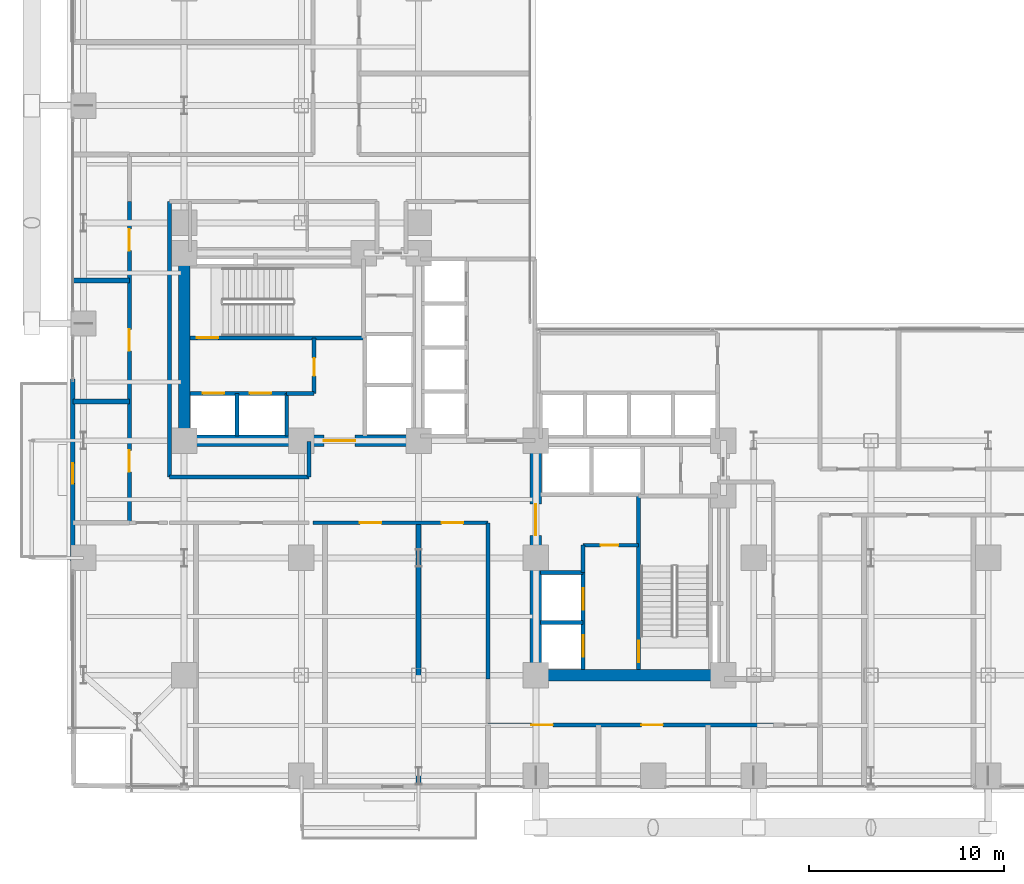
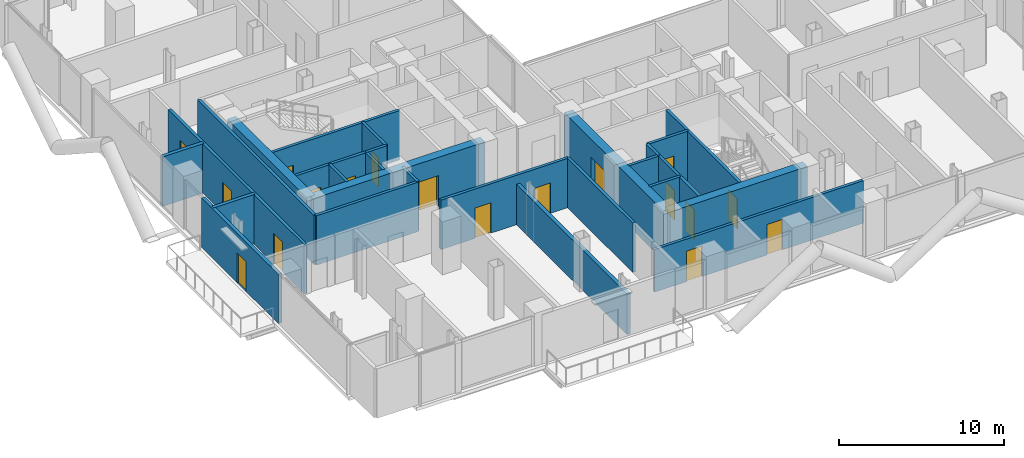
# One storey, part 20 of 25: 27 walls, 18 doors, 18 openings.
"""IFC4 building model written with IfcOpenShell, lengths in metres."""

from ifc_helpers import new_model, si_unit, direction, frame, frame_2d, origin, place, context, subcontext, project, spatial, rectangle, extrude, material, layer, layer_set, type_object, element, fill, save


model = new_model("IFC4")

# Units and contexts
model_context = context("Model", 3, precision=1e-05, world=origin(), true_north=direction((0.0, 1.0)))
body_context = subcontext(model_context, "Body", "Model", "MODEL_VIEW")
ifc_project = project(units=[si_unit("LENGTHUNIT", "METRE"), si_unit("AREAUNIT", "SQUARE_METRE"), si_unit("VOLUMEUNIT", "CUBIC_METRE"), si_unit("PLANEANGLEUNIT", "RADIAN"), si_unit("MASSUNIT", "GRAM", prefix="KILO"), si_unit("THERMODYNAMICTEMPERATUREUNIT", "KELVIN"), si_unit("POWERUNIT", "WATT")], contexts=[model_context])

# Site, building, storey
site_placement = place(None, origin())
site = spatial("IfcSite", under=ifc_project, at=site_placement, CompositionType="ELEMENT")
building_placement = place(site_placement, origin())
building = spatial("IfcBuilding", under=site, at=building_placement, Name="Svarakhadi Broadcast Tower", CompositionType="ELEMENT")
storey_placement = place(building_placement, frame((0.0, 0.0, 83.10009765625)))
storey = spatial("IfcBuildingStorey", under=building, at=storey_placement, Name="L19", CompositionType="ELEMENT", Elevation=83.10009765625)

# Wall, openings, doors
ifc_material_1 = material(Name="Double-Stud Acoustic Studio Partition STC-62", Category="gypsum")
ifc_layer_1 = layer(ifc_material_1, 0.199951171875)
ifc_layer_set_1 = layer_set([ifc_layer_1], Name="Double-Stud Acoustic Studio Partition STC-62")
wall_type_1 = type_object("IfcWallType", Name="Wall_Acoust_200", PredefinedType="PARTITIONING", material=ifc_layer_set_1)
wall_1_placement = place(storey_placement, frame((36.14990234375, 3.449951171875, 0.0), z_axis=(0.0, 0.0, 1.0), x_axis=(-1.0, 0.0, 0.0)))
wall_1 = element("IfcWall", 1, at=wall_1_placement, inside=storey, type_object=wall_type_1, Name="L19 Broadcast Corridor Wall", PredefinedType="PARTITIONING", context=body_context, shape_type="SweptSolid", body=[
    extrude(rectangle(XDim=14.599853515625, YDim=0.199951171875, at=frame_2d((7.2998046875, 0.0))), origin(), (0.0, 0.0, 1.0), 3.141845703125),
])
opening_1_placement = place(wall_1_placement, frame((11.27490234375, 0.0, 0.0)))
opening_1 = element("IfcOpeningElement", 2, at=opening_1_placement, cuts=wall_1, Name="Opening D-10", PredefinedType="OPENING", context=body_context, shape_type="SweptSolid", body=[
    extrude(rectangle(XDim=1.10009765625, YDim=2.25, at=frame_2d((0.550048828125, 1.125))), frame((0.0, 0.10986328125, 0.0), z_axis=(0.0, -1.0, 0.0), x_axis=(1.0, 0.0, 0.0)), (0.0, 0.0, 1.0), 0.219970703125),
])
opening_2_placement = place(wall_1_placement, frame((5.64990234375, 0.0, 0.0)))
opening_2 = element("IfcOpeningElement", 3, at=opening_2_placement, cuts=wall_1, Name="Opening D-11", PredefinedType="OPENING", context=body_context, shape_type="SweptSolid", body=[
    extrude(rectangle(XDim=1.10009765625, YDim=2.25, at=frame_2d((0.550048828125, 1.125))), frame((0.0, 0.10986328125, 0.0), z_axis=(0.0, -1.0, 0.0), x_axis=(1.0, 0.0, 0.0)), (0.0, 0.0, 1.0), 0.219970703125),
])
ifc_material_2 = material(Name="Solid-Core Teak Veneer Acoustic Timber Leaf", Category="wood")
door_type_1 = type_object("IfcDoorType", Name="Door_Acoust_D10", OperationType="SINGLE_SWING_LEFT", PredefinedType="DOOR", material=ifc_material_2)
door_1_placement = place(opening_1_placement, origin())
door_1 = element("IfcDoor", 4, at=door_1_placement, inside=storey, type_object=door_type_1, Name="L19 South Harbour Editorial Desk Door", OperationType="SINGLE_SWING_LEFT", OverallHeight=2.25, OverallWidth=1.10009765625, PredefinedType="DOOR", context=body_context, shape_type="SweptSolid", body=[
    extrude(rectangle(XDim=1.10009765625, YDim=2.25, at=frame_2d((0.550048828125, 1.125))), frame((0.0, 0.02490234375, 0.0), z_axis=(0.0, -1.0, 0.0), x_axis=(1.0, 0.0, 0.0)), (0.0, 0.0, 1.0), 0.050048828125),
])
fill(opening_1, door_1)
door_type_2 = type_object("IfcDoorType", Name="Door_Acoust_D11", OperationType="SINGLE_SWING_RIGHT", PredefinedType="DOOR", material=ifc_material_2)
door_2_placement = place(opening_2_placement, origin())
door_2 = element("IfcDoor", 5, at=door_2_placement, inside=storey, type_object=door_type_2, Name="L19 Media Legal Review Office Door", OperationType="SINGLE_SWING_RIGHT", OverallHeight=2.25, OverallWidth=1.10009765625, PredefinedType="DOOR", context=body_context, shape_type="SweptSolid", body=[
    extrude(rectangle(XDim=1.10009765625, YDim=2.25, at=frame_2d((0.550048828125, 1.125))), frame((0.0, 0.02490234375, 0.0), z_axis=(0.0, -1.0, 0.0), x_axis=(1.0, 0.0, 0.0)), (0.0, 0.0, 1.0), 0.050048828125),
])
fill(opening_2, door_2)

# Wall
wall_2_placement = place(storey_placement, frame((21.550048828125, 5.800048828125, 0.0), z_axis=(0.0, 0.0, 1.0), x_axis=(0.0, 1.0, 0.0)))
element("IfcWall", 6, at=wall_2_placement, inside=storey, type_object=wall_type_1, Name="L19 Broadcast Corridor Wall", PredefinedType="PARTITIONING", context=body_context, shape_type="SweptSolid", body=[
    extrude(rectangle(XDim=8.0, YDim=0.199951171875, at=frame_2d((4.0, 0.0))), origin(), (0.0, 0.0, 1.0), 3.64990234375),
])

# Wall, openings, doors
wall_3_placement = place(storey_placement, frame((21.550048828125, 13.800048828125, 0.0), z_axis=(0.0, 0.0, 1.0), x_axis=(-1.0, 0.0, 0.0)))
wall_3 = element("IfcWall", 7, at=wall_3_placement, inside=storey, type_object=wall_type_1, Name="L19 Broadcast Corridor Wall", PredefinedType="PARTITIONING", context=body_context, shape_type="SweptSolid", body=[
    extrude(rectangle(XDim=8.949951171875, YDim=0.199951171875, at=frame_2d((4.47509765625, 0.0))), origin(), (0.0, 0.0, 1.0), 3.64990234375),
])
opening_3_placement = place(wall_3_placement, frame((5.449951171875, 0.0, 0.0)))
opening_3 = element("IfcOpeningElement", 8, at=opening_3_placement, cuts=wall_3, Name="Opening D-10", PredefinedType="OPENING", context=body_context, shape_type="SweptSolid", body=[
    extrude(rectangle(XDim=1.10009765625, YDim=2.25, at=frame_2d((0.550048828125, 1.125))), frame((0.0, 0.10986328125, 0.0), z_axis=(0.0, -1.0, 0.0), x_axis=(1.0, 0.0, 0.0)), (0.0, 0.0, 1.0), 0.219970703125),
])
opening_4_placement = place(wall_3_placement, frame((1.27490234375, 0.0, 0.0)))
opening_4 = element("IfcOpeningElement", 9, at=opening_4_placement, cuts=wall_3, Name="Opening D-11", PredefinedType="OPENING", context=body_context, shape_type="SweptSolid", body=[
    extrude(rectangle(XDim=1.10009765625, YDim=2.25, at=frame_2d((0.550048828125, 1.125))), frame((0.0, 0.10986328125, 0.0), z_axis=(0.0, -1.0, 0.0), x_axis=(1.0, 0.0, 0.0)), (0.0, 0.0, 1.0), 0.219970703125),
])
door_3_placement = place(opening_3_placement, origin())
door_3 = element("IfcDoor", 10, at=door_3_placement, inside=storey, type_object=door_type_1, Name="L19 Content Pitch Room Door", OperationType="SINGLE_SWING_LEFT", OverallHeight=2.25, OverallWidth=1.10009765625, PredefinedType="DOOR", context=body_context, shape_type="SweptSolid", body=[
    extrude(rectangle(XDim=1.10009765625, YDim=2.25, at=frame_2d((0.550048828125, 1.125))), frame((0.0, 0.02490234375, 0.0), z_axis=(0.0, -1.0, 0.0), x_axis=(1.0, 0.0, 0.0)), (0.0, 0.0, 1.0), 0.050048828125),
])
fill(opening_3, door_3)
door_4_placement = place(opening_4_placement, origin())
door_4 = element("IfcDoor", 11, at=door_4_placement, inside=storey, type_object=door_type_2, Name="L19 Digital Tea Bar Door", OperationType="SINGLE_SWING_RIGHT", OverallHeight=2.25, OverallWidth=1.10009765625, PredefinedType="DOOR", context=body_context, shape_type="SweptSolid", body=[
    extrude(rectangle(XDim=1.10009765625, YDim=2.25, at=frame_2d((0.550048828125, 1.125))), frame((0.0, 0.02490234375, 0.0), z_axis=(0.0, -1.0, 0.0), x_axis=(1.0, 0.0, 0.0)), (0.0, 0.0, 1.0), 0.050048828125),
])
fill(opening_4, door_4)

wall_4_placement = place(storey_placement, frame((3.199951171875, 13.800048828125, 0.0), z_axis=(0.0, 0.0, 1.0), x_axis=(0.0, 1.0, 0.0)))
wall_4 = element("IfcWall", 12, at=wall_4_placement, inside=storey, type_object=wall_type_1, Name="L19 Broadcast Corridor Wall", PredefinedType="PARTITIONING", context=body_context, shape_type="SweptSolid", body=[
    extrude(rectangle(XDim=16.449951171875, YDim=0.199951171875, at=frame_2d((8.22509765625, 0.0))), origin(), (0.0, 0.0, 1.0), 3.64990234375),
])
opening_5_placement = place(wall_4_placement, frame((2.60009765625, 0.0, 0.0)))
opening_5 = element("IfcOpeningElement", 13, at=opening_5_placement, cuts=wall_4, Name="Opening D-10", PredefinedType="OPENING", context=body_context, shape_type="SweptSolid", body=[
    extrude(rectangle(XDim=1.10009765625, YDim=2.25, at=frame_2d((0.550048828125, 1.125))), frame((0.0, 0.10986328125, 0.0), z_axis=(0.0, -1.0, 0.0), x_axis=(1.0, 0.0, 0.0)), (0.0, 0.0, 1.0), 0.219970703125),
])
opening_6_placement = place(wall_4_placement, frame((8.800048828125, 0.0, 0.0)))
opening_6 = element("IfcOpeningElement", 14, at=opening_6_placement, cuts=wall_4, Name="Opening D-11", PredefinedType="OPENING", context=body_context, shape_type="SweptSolid", body=[
    extrude(rectangle(XDim=1.10009765625, YDim=2.25, at=frame_2d((0.550048828125, 1.125))), frame((0.0, 0.10986328125, 0.0), z_axis=(0.0, -1.0, 0.0), x_axis=(1.0, 0.0, 0.0)), (0.0, 0.0, 1.0), 0.219970703125),
])
opening_7_placement = place(wall_4_placement, frame((13.925048828125, 0.0, 0.0)))
opening_7 = element("IfcOpeningElement", 15, at=opening_7_placement, cuts=wall_4, Name="Opening D-10", PredefinedType="OPENING", context=body_context, shape_type="SweptSolid", body=[
    extrude(rectangle(XDim=1.10009765625, YDim=2.25, at=frame_2d((0.550048828125, 1.125))), frame((0.0, 0.10986328125, 0.0), z_axis=(0.0, -1.0, 0.0), x_axis=(1.0, 0.0, 0.0)), (0.0, 0.0, 1.0), 0.219970703125),
])
door_5_placement = place(opening_5_placement, origin())
door_5 = element("IfcDoor", 16, at=door_5_placement, inside=storey, type_object=door_type_1, Name="L19 Arabian Sea Commentary Booth Door", OperationType="SINGLE_SWING_LEFT", OverallHeight=2.25, OverallWidth=1.10009765625, PredefinedType="DOOR", context=body_context, shape_type="SweptSolid", body=[
    extrude(rectangle(XDim=1.10009765625, YDim=2.25, at=frame_2d((0.550048828125, 1.125))), frame((0.0, 0.02490234375, 0.0), z_axis=(0.0, -1.0, 0.0), x_axis=(1.0, 0.0, 0.0)), (0.0, 0.0, 1.0), 0.050048828125),
])
fill(opening_5, door_5)
door_6_placement = place(opening_7_placement, origin())
door_6 = element("IfcDoor", 17, at=door_6_placement, inside=storey, type_object=door_type_1, Name="L19 Producer Quiet Lounge Door", OperationType="SINGLE_SWING_LEFT", OverallHeight=2.25, OverallWidth=1.10009765625, PredefinedType="DOOR", context=body_context, shape_type="SweptSolid", body=[
    extrude(rectangle(XDim=1.10009765625, YDim=2.25, at=frame_2d((0.550048828125, 1.125))), frame((0.0, 0.02490234375, 0.0), z_axis=(0.0, -1.0, 0.0), x_axis=(1.0, 0.0, 0.0)), (0.0, 0.0, 1.0), 0.050048828125),
])
fill(opening_7, door_6)
door_7_placement = place(opening_6_placement, origin())
door_7 = element("IfcDoor", 18, at=door_7_placement, inside=storey, type_object=door_type_2, Name="L19 Live Translation Studio Door", OperationType="SINGLE_SWING_RIGHT", OverallHeight=2.25, OverallWidth=1.10009765625, PredefinedType="DOOR", context=body_context, shape_type="SweptSolid", body=[
    extrude(rectangle(XDim=1.10009765625, YDim=2.25, at=frame_2d((0.550048828125, 1.125))), frame((0.0, 0.02490234375, 0.0), z_axis=(0.0, -1.0, 0.0), x_axis=(1.0, 0.0, 0.0)), (0.0, 0.0, 1.0), 0.050048828125),
])
fill(opening_6, door_7)

# Walls
wall_5_placement = place(storey_placement, frame((5.25, 30.25, 0.0), z_axis=(0.0, 0.0, 1.0), x_axis=(0.0, -1.0, 0.0)))
element("IfcWall", 19, at=wall_5_placement, inside=storey, type_object=wall_type_1, Name="L19 Broadcast Corridor Wall", PredefinedType="PARTITIONING", context=body_context, shape_type="SweptSolid", body=[
    extrude(rectangle(XDim=14.10009765625, YDim=0.199951171875, at=frame_2d((7.050048828125, 0.0))), origin(), (0.0, 0.0, 1.0), 3.64990234375),
])
wall_6_placement = place(storey_placement, frame((5.25, 16.14990234375, 0.0), z_axis=(0.0, 0.0, 1.0), x_axis=(1.0, 0.0, 0.0)))
element("IfcWall", 20, at=wall_6_placement, inside=storey, type_object=wall_type_1, Name="L19 Broadcast Corridor Wall", PredefinedType="PARTITIONING", context=body_context, shape_type="SweptSolid", body=[
    extrude(rectangle(XDim=7.14990234375, YDim=0.199951171875, at=frame_2d((3.574951171875, 0.0))), origin(), (0.0, 0.0, 1.0), 3.64990234375),
])
wall_7_placement = place(storey_placement, frame((12.39990234375, 16.14990234375, 0.0), z_axis=(0.0, 0.0, 1.0), x_axis=(0.0, 1.0, 0.0)))
element("IfcWall", 21, at=wall_7_placement, inside=storey, type_object=wall_type_1, Name="L19 Broadcast Corridor Wall", PredefinedType="PARTITIONING", context=body_context, shape_type="SweptSolid", body=[
    extrude(rectangle(XDim=1.800048828125, YDim=0.199951171875, at=frame_2d((0.89990234375, 0.0))), origin(), (0.0, 0.0, 1.0), 3.64990234375),
])
ifc_layer_2 = layer(ifc_material_1, 0.25)
ifc_layer_set_2 = layer_set([ifc_layer_2], Name="Double-Stud Acoustic Studio Partition STC-62")
wall_type_2 = type_object("IfcWallType", Name="Wall_Acoust_250", PredefinedType="PARTITIONING", material=ifc_layer_set_2)
wall_8_placement = place(storey_placement, frame((18.0, 0.300048828125, 0.0), z_axis=(0.0, 0.0, 1.0), x_axis=(0.0, 1.0, 0.0)))
element("IfcWall", 22, at=wall_8_placement, inside=storey, type_object=wall_type_2, Name="L19 Content Pitch Room Wall", PredefinedType="PARTITIONING", context=body_context, shape_type="SweptSolid", body=[
    extrude(rectangle(XDim=13.5, YDim=0.25, at=frame_2d((6.75, 0.0))), origin(), (0.0, 0.0, 1.0), 2.991943359375),
])
for number, where, z_axis, x_axis, name in (
    (23, (0.300048828125, 20.0, 0.0), (0.0, 0.0, 1.0), (1.0, 0.0, 0.0), "L19 Arabian Sea Commentary Booth Wall"),
    (24, (0.300048828125, 26.199951171875, 0.0), (0.0, 0.0, 1.0), (1.0, 0.0, 0.0), "L19 Live Translation Studio Wall"),
):
    element("IfcWall", number, at=place(storey_placement, frame(where, z_axis=z_axis, x_axis=x_axis)), inside=storey, type_object=wall_type_2, Name=name, PredefinedType="PARTITIONING", context=body_context, shape_type="SweptSolid", body=[
        extrude(rectangle(XDim=2.89990234375, YDim=0.25, at=frame_2d((1.449951171875, 0.0))), origin(), (0.0, 0.0, 1.0), 3.64990234375),
    ])

# Wall, opening, door
ifc_material_3 = material(Name="Concrete C40/50 (IS 456 M50)", Category="concrete")
ifc_layer_3 = layer(ifc_material_3, 0.239990234375)
ifc_layer_set_3 = layer_set([ifc_layer_3], Name="Concrete C40/50 (IS 456 M50)")
wall_type_3 = type_object("IfcWallType", Name="Wall_Ext_240", PredefinedType="SOLIDWALL", material=ifc_layer_set_3)
wall_9_placement = place(storey_placement, frame((0.300048828125, 11.85498046875, 0.0), z_axis=(0.0, 0.0, 1.0), x_axis=(0.0, 1.0, 0.0)))
wall_9 = element("IfcWall", 25, at=wall_9_placement, inside=storey, type_object=wall_type_3, Name="L19 West Tree Balcony Spandrel Wall", PredefinedType="SOLIDWALL", context=body_context, shape_type="SweptSolid", body=[
    extrude(rectangle(XDim=9.2900390625, YDim=0.239990234375, at=frame_2d((4.64501953125, 0.0))), origin(), (0.0, 0.0, 1.0), 3.64990234375),
])
opening_8_placement = place(wall_9_placement, frame((3.945068359375, 0.0, 0.0)))
opening_8 = element("IfcOpeningElement", 26, at=opening_8_placement, cuts=wall_9, Name="Opening ED-06", PredefinedType="OPENING", context=body_context, shape_type="SweptSolid", body=[
    extrude(rectangle(XDim=1.050048828125, YDim=2.199951171875, at=frame_2d((0.52490234375, 1.10009765625))), frame((0.0, 0.1298828125, 0.0), z_axis=(0.0, -1.0, 0.0), x_axis=(1.0, 0.0, 0.0)), (0.0, 0.0, 1.0), 0.260009765625),
])
ifc_material_4 = material(Name="Anodised Bronze Aluminium AA 6063-T6", Category="aluminium")
door_type_3 = type_object("IfcDoorType", Name="Door_Ext_ED06", OperationType="SINGLE_SWING_RIGHT", PredefinedType="DOOR", material=ifc_material_4)
door_8_placement = place(opening_8_placement, origin())
door_8 = element("IfcDoor", 27, at=door_8_placement, inside=storey, type_object=door_type_3, Name="L19 West Tree Balcony Door", OperationType="SINGLE_SWING_RIGHT", OverallHeight=2.199951171875, OverallWidth=1.050048828125, PredefinedType="DOOR", context=body_context, shape_type="SweptSolid", body=[
    extrude(rectangle(XDim=1.050048828125, YDim=2.199951171875, at=frame_2d((0.52490234375, 1.10009765625))), frame((0.0, 0.02490234375, 0.0), z_axis=(0.0, -1.0, 0.0), x_axis=(1.0, 0.0, 0.0)), (0.0, 0.0, 1.0), 0.050048828125),
])
fill(opening_8, door_8)

ifc_material_5 = material(Name="Concrete C50/60 (IS 456 M60)", Category="concrete")
ifc_layer_4 = layer(ifc_material_5, 0.199951171875)
ifc_layer_set_4 = layer_set([ifc_layer_4], Name="Concrete C50/60 (IS 456 M60)")
wall_type_4 = type_object("IfcWallType", Name="Wall_Shear_200", PredefinedType="SHEAR", material=ifc_layer_set_4)
wall_10_placement = place(storey_placement, frame((6.300048828125, 23.260009765625, 0.0), z_axis=(0.0, 0.0, 1.0), x_axis=(1.0, 0.0, 0.0)))
wall_10 = element("IfcWall", 28, at=wall_10_placement, inside=storey, type_object=wall_type_4, Name="L19 Stair ST-01 South RC Shaft Wall", PredefinedType="SHEAR", context=body_context, shape_type="SweptSolid", body=[
    extrude(rectangle(XDim=8.8798828125, YDim=0.199951171875, at=frame_2d((4.43994140625, 0.0))), origin(), (0.0, 0.0, 1.0), 3.64990234375),
])
opening_9_placement = place(wall_10_placement, frame((0.35009765625, 0.0, 0.0)))
opening_9 = element("IfcOpeningElement", 29, at=opening_9_placement, cuts=wall_10, Name="Opening D-01", PredefinedType="OPENING", context=body_context, shape_type="SweptSolid", body=[
    extrude(rectangle(XDim=1.10009765625, YDim=2.199951171875, at=frame_2d((0.550048828125, 1.10009765625))), frame((0.0, 0.10986328125, 0.0), z_axis=(0.0, -1.0, 0.0), x_axis=(1.0, 0.0, 0.0)), (0.0, 0.0, 1.0), 0.219970703125),
])
ifc_material_6 = material(Name="Galvanised Powder-Coated Fire-Rated Steel Leaf", Category="steel")
door_type_4 = type_object("IfcDoorType", Name="Door_Stair_D01", OperationType="SINGLE_SWING_LEFT", PredefinedType="DOOR", material=ifc_material_6)
door_9_placement = place(opening_9_placement, origin())
door_9 = element("IfcDoor", 30, at=door_9_placement, inside=storey, type_object=door_type_4, Name="L19 Protected Exit Stair ST-01 Fire Door", OperationType="SINGLE_SWING_LEFT", OverallHeight=2.199951171875, OverallWidth=1.10009765625, PredefinedType="DOOR", context=body_context, shape_type="SweptSolid", body=[
    extrude(rectangle(XDim=1.10009765625, YDim=2.199951171875, at=frame_2d((0.550048828125, 1.10009765625))), frame((0.0, 0.02490234375, 0.0), z_axis=(0.0, -1.0, 0.0), x_axis=(1.0, 0.0, 0.0)), (0.0, 0.0, 1.0), 0.050048828125),
])
fill(opening_9, door_9)

wall_11_placement = place(storey_placement, frame((29.260009765625, 6.300048828125, 0.0), z_axis=(0.0, 0.0, 1.0), x_axis=(0.0, 1.0, 0.0)))
wall_11 = element("IfcWall", 31, at=wall_11_placement, inside=storey, type_object=wall_type_4, Name="L19 Stair ST-02 West RC Shaft Wall", PredefinedType="SHEAR", context=body_context, shape_type="SweptSolid", body=[
    extrude(rectangle(XDim=8.8798828125, YDim=0.199951171875, at=frame_2d((4.43994140625, 0.0))), origin(), (0.0, 0.0, 1.0), 3.64990234375),
])
opening_10_placement = place(wall_11_placement, frame((0.35009765625, 0.0, 0.0)))
opening_10 = element("IfcOpeningElement", 32, at=opening_10_placement, cuts=wall_11, Name="Opening D-02", PredefinedType="OPENING", context=body_context, shape_type="SweptSolid", body=[
    extrude(rectangle(XDim=1.10009765625, YDim=2.199951171875, at=frame_2d((0.550048828125, 1.10009765625))), frame((0.0, 0.10986328125, 0.0), z_axis=(0.0, -1.0, 0.0), x_axis=(1.0, 0.0, 0.0)), (0.0, 0.0, 1.0), 0.219970703125),
])
door_type_5 = type_object("IfcDoorType", Name="Door_Stair_D02", OperationType="SINGLE_SWING_RIGHT", PredefinedType="DOOR", material=ifc_material_6)
door_10_placement = place(opening_10_placement, origin())
door_10 = element("IfcDoor", 33, at=door_10_placement, inside=storey, type_object=door_type_5, Name="L19 Protected Exit Stair ST-02 Fire Door", OperationType="SINGLE_SWING_RIGHT", OverallHeight=2.199951171875, OverallWidth=1.10009765625, PredefinedType="DOOR", context=body_context, shape_type="SweptSolid", body=[
    extrude(rectangle(XDim=1.10009765625, YDim=2.199951171875, at=frame_2d((0.550048828125, 1.10009765625))), frame((0.0, 0.02490234375, 0.0), z_axis=(0.0, -1.0, 0.0), x_axis=(1.0, 0.0, 0.0)), (0.0, 0.0, 1.0), 0.050048828125),
])
fill(opening_10, door_10)

# Wall, openings, doors
wall_12_placement = place(storey_placement, frame((6.300048828125, 20.419921875, 0.0), z_axis=(0.0, 0.0, 1.0), x_axis=(1.0, 0.0, 0.0)))
wall_12 = element("IfcWall", 34, at=wall_12_placement, inside=storey, type_object=wall_type_4, Name="L19 Firefighting Lift LF-01/02 Shaft Wall", PredefinedType="SHEAR", context=body_context, shape_type="SweptSolid", body=[
    extrude(rectangle(XDim=4.949951171875, YDim=0.199951171875, at=frame_2d((2.47509765625, 0.0))), origin(), (0.0, 0.0, 1.0), 3.64990234375),
])
opening_11_placement = place(wall_12_placement, frame((0.64990234375, 0.0, 0.0)))
opening_11 = element("IfcOpeningElement", 35, at=opening_11_placement, cuts=wall_12, Name="Opening LD-01", PredefinedType="OPENING", context=body_context, shape_type="SweptSolid", body=[
    extrude(rectangle(XDim=1.10009765625, YDim=2.199951171875, at=frame_2d((0.550048828125, 1.10009765625))), frame((0.0, 0.10986328125, 0.0), z_axis=(0.0, -1.0, 0.0), x_axis=(1.0, 0.0, 0.0)), (0.0, 0.0, 1.0), 0.219970703125),
])
opening_12_placement = place(wall_12_placement, frame((3.050048828125, 0.0, 0.0)))
opening_12 = element("IfcOpeningElement", 36, at=opening_12_placement, cuts=wall_12, Name="Opening LD-01", PredefinedType="OPENING", context=body_context, shape_type="SweptSolid", body=[
    extrude(rectangle(XDim=1.10009765625, YDim=2.199951171875, at=frame_2d((0.550048828125, 1.10009765625))), frame((0.0, 0.10986328125, 0.0), z_axis=(0.0, -1.0, 0.0), x_axis=(1.0, 0.0, 0.0)), (0.0, 0.0, 1.0), 0.219970703125),
])
door_type_6 = type_object("IfcDoorType", Name="Door_Lift_LD01", OperationType="SLIDING_TO_LEFT", PredefinedType="DOOR", material=ifc_material_6)
door_11_placement = place(opening_11_placement, origin())
door_11 = element("IfcDoor", 37, at=door_11_placement, inside=storey, type_object=door_type_6, Name="L19 Firefighting Lift LF-01 Landing Door", OperationType="SLIDING_TO_LEFT", OverallHeight=2.199951171875, OverallWidth=1.10009765625, PredefinedType="DOOR", context=body_context, shape_type="SweptSolid", body=[
    extrude(rectangle(XDim=1.10009765625, YDim=2.199951171875, at=frame_2d((0.550048828125, 1.10009765625))), frame((0.0, 0.02490234375, 0.0), z_axis=(0.0, -1.0, 0.0), x_axis=(1.0, 0.0, 0.0)), (0.0, 0.0, 1.0), 0.050048828125),
])
fill(opening_11, door_11)
door_12_placement = place(opening_12_placement, origin())
door_12 = element("IfcDoor", 38, at=door_12_placement, inside=storey, type_object=door_type_6, Name="L19 Firefighting Lift LF-02 Landing Door", OperationType="SLIDING_TO_LEFT", OverallHeight=2.199951171875, OverallWidth=1.10009765625, PredefinedType="DOOR", context=body_context, shape_type="SweptSolid", body=[
    extrude(rectangle(XDim=1.10009765625, YDim=2.199951171875, at=frame_2d((0.550048828125, 1.10009765625))), frame((0.0, 0.02490234375, 0.0), z_axis=(0.0, -1.0, 0.0), x_axis=(1.0, 0.0, 0.0)), (0.0, 0.0, 1.0), 0.050048828125),
])
fill(opening_12, door_12)

# Walls
for number, where, z_axis, x_axis, name in (
    (39, (8.699951171875, 18.25, 0.0), (0.0, 0.0, 1.0), (0.0, 1.0, 0.0), "L19 Firefighting Lift LF-01/02 Divider Wall"),
    (40, (11.25, 18.25, 0.0), (0.0, 0.0, 1.0), (0.0, 1.0, 0.0), "L19 Firefighting Lift LF-02 East Wall"),
):
    element("IfcWall", number, at=place(storey_placement, frame(where, z_axis=z_axis, x_axis=x_axis)), inside=storey, type_object=wall_type_4, Name=name, PredefinedType="SHEAR", context=body_context, shape_type="SweptSolid", body=[
        extrude(rectangle(XDim=2.169921875, YDim=0.199951171875, at=frame_2d((1.0849609375, 0.0))), origin(), (0.0, 0.0, 1.0), 3.64990234375),
    ])
wall_13_placement = place(storey_placement, frame((11.25, 20.419921875, 0.0), z_axis=(0.0, 0.0, 1.0), x_axis=(1.0, 0.0, 0.0)))
element("IfcWall", 41, at=wall_13_placement, inside=storey, type_object=wall_type_4, Name="L19 West Firefighting Lobby South Wall", PredefinedType="SHEAR", context=body_context, shape_type="SweptSolid", body=[
    extrude(rectangle(XDim=1.39990234375, YDim=0.199951171875, at=frame_2d((0.699951171875, 0.0))), origin(), (0.0, 0.0, 1.0), 3.64990234375),
])

# Wall, opening, door
wall_14_placement = place(storey_placement, frame((12.64990234375, 20.419921875, 0.0), z_axis=(0.0, 0.0, 1.0), x_axis=(0.0, 1.0, 0.0)))
wall_14 = element("IfcWall", 42, at=wall_14_placement, inside=storey, type_object=wall_type_4, Name="L19 West Firefighting Lobby East Wall", PredefinedType="SHEAR", context=body_context, shape_type="SweptSolid", body=[
    extrude(rectangle(XDim=2.840087890625, YDim=0.199951171875, at=frame_2d((1.419921875, 0.0))), origin(), (0.0, 0.0, 1.0), 3.64990234375),
])
opening_13_placement = place(wall_14_placement, frame((0.89990234375, 0.0, 0.0)))
opening_13 = element("IfcOpeningElement", 43, at=opening_13_placement, cuts=wall_14, Name="Opening D-04", PredefinedType="OPENING", context=body_context, shape_type="SweptSolid", body=[
    extrude(rectangle(XDim=0.89990234375, YDim=2.14990234375, at=frame_2d((0.449951171875, 1.074951171875))), frame((0.0, 0.10986328125, 0.0), z_axis=(0.0, -1.0, 0.0), x_axis=(1.0, 0.0, 0.0)), (0.0, 0.0, 1.0), 0.219970703125),
])
door_type_7 = type_object("IfcDoorType", Name="Door_Fire_D04", OperationType="SINGLE_SWING_RIGHT", PredefinedType="DOOR", material=ifc_material_6)
door_13_placement = place(opening_13_placement, origin())
door_13 = element("IfcDoor", 44, at=door_13_placement, inside=storey, type_object=door_type_7, Name="L19 West Firefighting Lobby Fire Door", OperationType="SINGLE_SWING_RIGHT", OverallHeight=2.14990234375, OverallWidth=0.89990234375, PredefinedType="DOOR", context=body_context, shape_type="SweptSolid", body=[
    extrude(rectangle(XDim=0.89990234375, YDim=2.14990234375, at=frame_2d((0.449951171875, 1.074951171875))), frame((0.0, 0.02490234375, 0.0), z_axis=(0.0, -1.0, 0.0), x_axis=(1.0, 0.0, 0.0)), (0.0, 0.0, 1.0), 0.050048828125),
])
fill(opening_13, door_13)

# Wall, openings, doors
wall_15_placement = place(storey_placement, frame((26.419921875, 6.300048828125, 0.0), z_axis=(0.0, 0.0, 1.0), x_axis=(0.0, 1.0, 0.0)))
wall_15 = element("IfcWall", 45, at=wall_15_placement, inside=storey, type_object=wall_type_4, Name="L19 Firefighting Lift LF-03/04 Shaft Wall", PredefinedType="SHEAR", context=body_context, shape_type="SweptSolid", body=[
    extrude(rectangle(XDim=4.949951171875, YDim=0.199951171875, at=frame_2d((2.47509765625, 0.0))), origin(), (0.0, 0.0, 1.0), 3.64990234375),
])
opening_14_placement = place(wall_15_placement, frame((0.64990234375, 0.0, 0.0)))
opening_14 = element("IfcOpeningElement", 46, at=opening_14_placement, cuts=wall_15, Name="Opening LD-01", PredefinedType="OPENING", context=body_context, shape_type="SweptSolid", body=[
    extrude(rectangle(XDim=1.10009765625, YDim=2.199951171875, at=frame_2d((0.550048828125, 1.10009765625))), frame((0.0, 0.10986328125, 0.0), z_axis=(0.0, -1.0, 0.0), x_axis=(1.0, 0.0, 0.0)), (0.0, 0.0, 1.0), 0.219970703125),
])
opening_15_placement = place(wall_15_placement, frame((3.050048828125, 0.0, 0.0)))
opening_15 = element("IfcOpeningElement", 47, at=opening_15_placement, cuts=wall_15, Name="Opening LD-01", PredefinedType="OPENING", context=body_context, shape_type="SweptSolid", body=[
    extrude(rectangle(XDim=1.10009765625, YDim=2.199951171875, at=frame_2d((0.550048828125, 1.10009765625))), frame((0.0, 0.10986328125, 0.0), z_axis=(0.0, -1.0, 0.0), x_axis=(1.0, 0.0, 0.0)), (0.0, 0.0, 1.0), 0.219970703125),
])
door_14_placement = place(opening_14_placement, origin())
door_14 = element("IfcDoor", 48, at=door_14_placement, inside=storey, type_object=door_type_6, Name="L19 Firefighting Lift LF-03 Landing Door", OperationType="SLIDING_TO_LEFT", OverallHeight=2.199951171875, OverallWidth=1.10009765625, PredefinedType="DOOR", context=body_context, shape_type="SweptSolid", body=[
    extrude(rectangle(XDim=1.10009765625, YDim=2.199951171875, at=frame_2d((0.550048828125, 1.10009765625))), frame((0.0, 0.02490234375, 0.0), z_axis=(0.0, -1.0, 0.0), x_axis=(1.0, 0.0, 0.0)), (0.0, 0.0, 1.0), 0.050048828125),
])
fill(opening_14, door_14)
door_15_placement = place(opening_15_placement, origin())
door_15 = element("IfcDoor", 49, at=door_15_placement, inside=storey, type_object=door_type_6, Name="L19 Firefighting Lift LF-04 Landing Door", OperationType="SLIDING_TO_LEFT", OverallHeight=2.199951171875, OverallWidth=1.10009765625, PredefinedType="DOOR", context=body_context, shape_type="SweptSolid", body=[
    extrude(rectangle(XDim=1.10009765625, YDim=2.199951171875, at=frame_2d((0.550048828125, 1.10009765625))), frame((0.0, 0.02490234375, 0.0), z_axis=(0.0, -1.0, 0.0), x_axis=(1.0, 0.0, 0.0)), (0.0, 0.0, 1.0), 0.050048828125),
])
fill(opening_15, door_15)

# Walls
for number, where, z_axis, x_axis, name in (
    (50, (24.25, 8.699951171875, 0.0), (0.0, 0.0, 1.0), (1.0, 0.0, 0.0), "L19 Firefighting Lift LF-03/04 Divider Wall"),
    (51, (24.25, 11.25, 0.0), (0.0, 0.0, 1.0), (1.0, 0.0, 0.0), "L19 Firefighting Lift LF-04 North Wall"),
):
    element("IfcWall", number, at=place(storey_placement, frame(where, z_axis=z_axis, x_axis=x_axis)), inside=storey, type_object=wall_type_4, Name=name, PredefinedType="SHEAR", context=body_context, shape_type="SweptSolid", body=[
        extrude(rectangle(XDim=2.169921875, YDim=0.199951171875, at=frame_2d((1.0849609375, 0.0))), origin(), (0.0, 0.0, 1.0), 3.64990234375),
    ])
wall_16_placement = place(storey_placement, frame((26.419921875, 11.25, 0.0), z_axis=(0.0, 0.0, 1.0), x_axis=(0.0, 1.0, 0.0)))
element("IfcWall", 52, at=wall_16_placement, inside=storey, type_object=wall_type_4, Name="L19 East Firefighting Lobby West Wall", PredefinedType="SHEAR", context=body_context, shape_type="SweptSolid", body=[
    extrude(rectangle(XDim=1.39990234375, YDim=0.199951171875, at=frame_2d((0.699951171875, 0.0))), origin(), (0.0, 0.0, 1.0), 3.64990234375),
])

# Wall, opening, door
wall_17_placement = place(storey_placement, frame((26.419921875, 12.64990234375, 0.0), z_axis=(0.0, 0.0, 1.0), x_axis=(1.0, 0.0, 0.0)))
wall_17 = element("IfcWall", 53, at=wall_17_placement, inside=storey, type_object=wall_type_4, Name="L19 East Firefighting Lobby North Wall", PredefinedType="SHEAR", context=body_context, shape_type="SweptSolid", body=[
    extrude(rectangle(XDim=2.840087890625, YDim=0.199951171875, at=frame_2d((1.419921875, 0.0))), origin(), (0.0, 0.0, 1.0), 3.64990234375),
])
opening_16_placement = place(wall_17_placement, frame((0.89990234375, 0.0, 0.0)))
opening_16 = element("IfcOpeningElement", 54, at=opening_16_placement, cuts=wall_17, Name="Opening D-03", PredefinedType="OPENING", context=body_context, shape_type="SweptSolid", body=[
    extrude(rectangle(XDim=0.89990234375, YDim=2.14990234375, at=frame_2d((0.449951171875, 1.074951171875))), frame((0.0, 0.10986328125, 0.0), z_axis=(0.0, -1.0, 0.0), x_axis=(1.0, 0.0, 0.0)), (0.0, 0.0, 1.0), 0.219970703125),
])
door_type_8 = type_object("IfcDoorType", Name="Door_Fire_D03", OperationType="SINGLE_SWING_LEFT", PredefinedType="DOOR", material=ifc_material_6)
door_16_placement = place(opening_16_placement, origin())
door_16 = element("IfcDoor", 55, at=door_16_placement, inside=storey, type_object=door_type_8, Name="L19 East Firefighting Lobby Fire Door", OperationType="SINGLE_SWING_LEFT", OverallHeight=2.14990234375, OverallWidth=0.89990234375, PredefinedType="DOOR", context=body_context, shape_type="SweptSolid", body=[
    extrude(rectangle(XDim=0.89990234375, YDim=2.14990234375, at=frame_2d((0.449951171875, 1.074951171875))), frame((0.0, 0.02490234375, 0.0), z_axis=(0.0, -1.0, 0.0), x_axis=(1.0, 0.0, 0.0)), (0.0, 0.0, 1.0), 0.050048828125),
])
fill(opening_16, door_16)

ifc_material_7 = material(Name="Concrete C60/75 (IS 456 M70)", Category="concrete")
ifc_layer_5 = layer(ifc_material_7, 0.60009765625)
ifc_layer_set_5 = layer_set([ifc_layer_5], Name="Concrete C60/75 (IS 456 M70)")
wall_type_5 = type_object("IfcWallType", Name="Wall_Shear_600", PredefinedType="SHEAR", material=ifc_layer_set_5)
wall_18_placement = place(storey_placement, frame((6.0, 18.0, 0.0), z_axis=(0.0, 0.0, 1.0), x_axis=(1.0, 0.0, 0.0)))
wall_18 = element("IfcWall", 56, at=wall_18_placement, inside=storey, type_object=wall_type_5, Name="L19 West Core South Shear Wall", PredefinedType="SHEAR", context=body_context, shape_type="SweptSolid", body=[
    extrude(rectangle(XDim=12.0, YDim=0.60009765625, at=frame_2d((6.0, 0.0))), origin(), (0.0, 0.0, 1.0), 3.64990234375),
])
opening_17_placement = place(wall_18_placement, frame((7.14990234375, 0.0, 0.0)))
opening_17 = element("IfcOpeningElement", 57, at=opening_17_placement, cuts=wall_18, Name="Opening D-05", PredefinedType="OPENING", context=body_context, shape_type="SweptSolid", body=[
    extrude(rectangle(XDim=1.60009765625, YDim=2.300048828125, at=frame_2d((0.800048828125, 1.14990234375))), frame((0.0, 0.31005859375, 0.0), z_axis=(0.0, -1.0, 0.0), x_axis=(1.0, 0.0, 0.0)), (0.0, 0.0, 1.0), 0.6201171875),
])
door_type_9 = type_object("IfcDoorType", Name="Door_Lobby_D05", OperationType="DOUBLE_DOOR_SLIDING", PredefinedType="DOOR", material=ifc_material_4)
door_17_placement = place(opening_17_placement, origin())
door_17 = element("IfcDoor", 58, at=door_17_placement, inside=storey, type_object=door_type_9, Name="L19 West Core Passenger Lift Lobby Entrance Door", OperationType="DOUBLE_DOOR_SLIDING", OverallHeight=2.300048828125, OverallWidth=1.60009765625, PredefinedType="DOOR", context=body_context, shape_type="SweptSolid", body=[
    extrude(rectangle(XDim=1.60009765625, YDim=2.300048828125, at=frame_2d((0.800048828125, 1.14990234375))), frame((0.0, 0.02490234375, 0.0), z_axis=(0.0, -1.0, 0.0), x_axis=(1.0, 0.0, 0.0)), (0.0, 0.0, 1.0), 0.050048828125),
])
fill(opening_17, door_17)

# Walls
for number, where, z_axis, x_axis, name in (
    (59, (6.0, 18.0, 0.0), (0.0, 0.0, 1.0), (0.0, 1.0, 0.0), "L19 West Core West Shear Wall"),
    (60, (24.0, 6.0, 0.0), (0.0, 0.0, 1.0), (1.0, 0.0, 0.0), "L19 East Core South Shear Wall"),
):
    element("IfcWall", number, at=place(storey_placement, frame(where, z_axis=z_axis, x_axis=x_axis)), inside=storey, type_object=wall_type_5, Name=name, PredefinedType="SHEAR", context=body_context, shape_type="SweptSolid", body=[
        extrude(rectangle(XDim=9.60009765625, YDim=0.60009765625, at=frame_2d((4.800048828125, 0.0))), origin(), (0.0, 0.0, 1.0), 3.64990234375),
    ])

# Wall, opening, door
wall_19_placement = place(storey_placement, frame((24.0, 6.0, 0.0), z_axis=(0.0, 0.0, 1.0), x_axis=(0.0, 1.0, 0.0)))
wall_19 = element("IfcWall", 61, at=wall_19_placement, inside=storey, type_object=wall_type_5, Name="L19 East Core West Shear Wall", PredefinedType="SHEAR", context=body_context, shape_type="SweptSolid", body=[
    extrude(rectangle(XDim=12.0, YDim=0.60009765625, at=frame_2d((6.0, 0.0))), origin(), (0.0, 0.0, 1.0), 3.64990234375),
])
opening_18_placement = place(wall_19_placement, frame((7.14990234375, 0.0, 0.0)))
opening_18 = element("IfcOpeningElement", 62, at=opening_18_placement, cuts=wall_19, Name="Opening D-05", PredefinedType="OPENING", context=body_context, shape_type="SweptSolid", body=[
    extrude(rectangle(XDim=1.60009765625, YDim=2.300048828125, at=frame_2d((0.800048828125, 1.14990234375))), frame((0.0, 0.31005859375, 0.0), z_axis=(0.0, -1.0, 0.0), x_axis=(1.0, 0.0, 0.0)), (0.0, 0.0, 1.0), 0.6201171875),
])
door_18_placement = place(opening_18_placement, origin())
door_18 = element("IfcDoor", 63, at=door_18_placement, inside=storey, type_object=door_type_9, Name="L19 East Core Passenger Lift Lobby Entrance Door", OperationType="DOUBLE_DOOR_SLIDING", OverallHeight=2.300048828125, OverallWidth=1.60009765625, PredefinedType="DOOR", context=body_context, shape_type="SweptSolid", body=[
    extrude(rectangle(XDim=1.60009765625, YDim=2.300048828125, at=frame_2d((0.800048828125, 1.14990234375))), frame((0.0, 0.02490234375, 0.0), z_axis=(0.0, -1.0, 0.0), x_axis=(1.0, 0.0, 0.0)), (0.0, 0.0, 1.0), 0.050048828125),
])
fill(opening_18, door_18)

save(model, "model.ifc")
